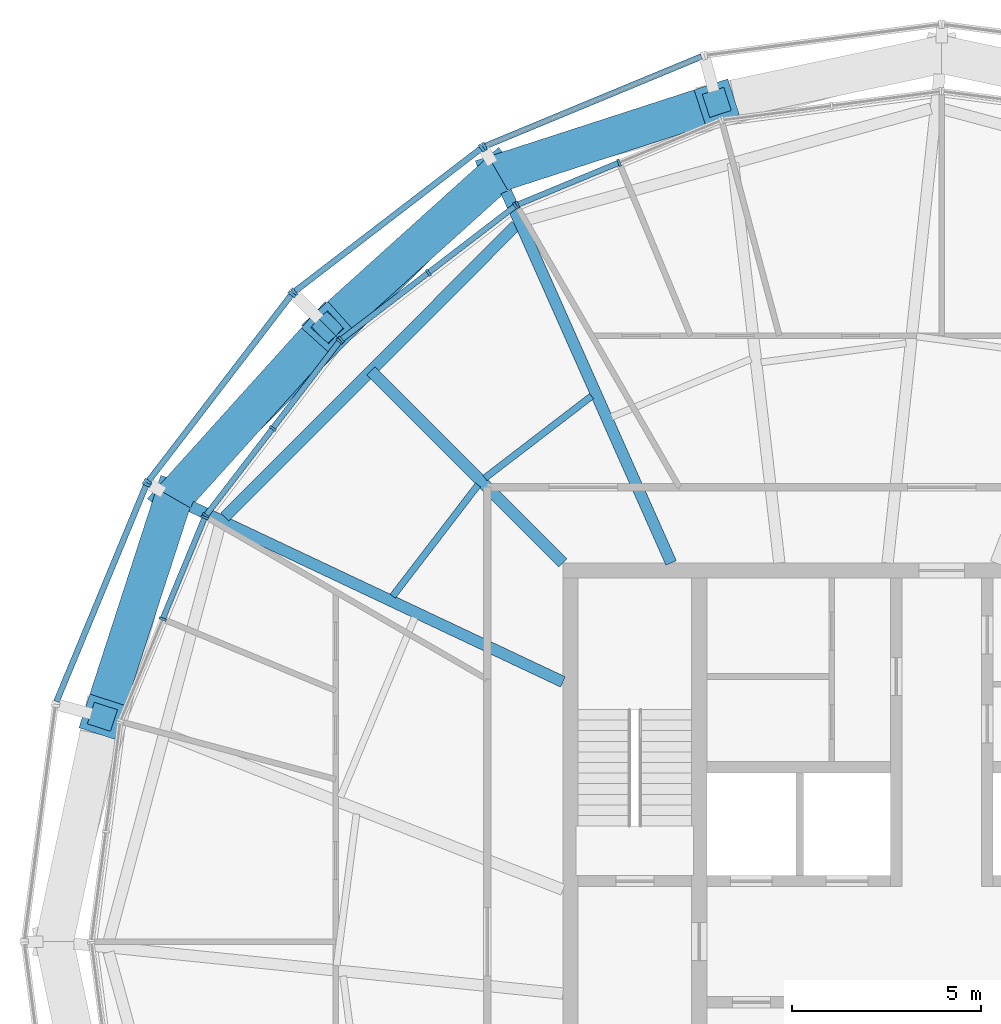
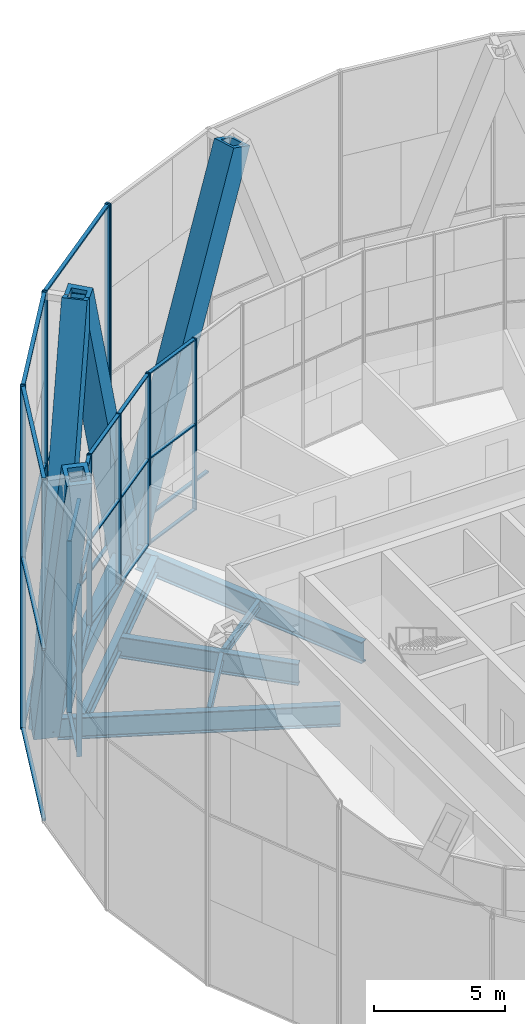
# One storey, part 6 of 22: 48 members, 7 beams, 8 elements without a shape of their own.
"""IFC4 building model written with IfcOpenShell, lengths in metres."""

from ifc_helpers import new_model, si_unit, direction, frame, origin, origin_2d, place, context, subcontext, project, spatial, rectangle, hollow_rectangle, i_section, extrude, material, material_profile, profile_set, type_object, element, aggregate, save


model = new_model("IFC4")

# Units and contexts
model_context = context("Model", 3, precision=1e-05, world=origin(), true_north=direction((0.0, 1.0)))
body_context = subcontext(model_context, "Body", "Model", "MODEL_VIEW")
ifc_project = project(units=[si_unit("LENGTHUNIT", "METRE"), si_unit("AREAUNIT", "SQUARE_METRE"), si_unit("VOLUMEUNIT", "CUBIC_METRE"), si_unit("PLANEANGLEUNIT", "RADIAN"), si_unit("MASSUNIT", "GRAM", prefix="KILO")], contexts=[model_context])

# Site, building, storey
site_placement = place(None, origin())
site = spatial("IfcSite", under=ifc_project, at=site_placement, CompositionType="ELEMENT")
building_placement = place(site_placement, origin())
building = spatial("IfcBuilding", under=site, at=building_placement, Name="Golbaran Civic Tower", CompositionType="ELEMENT")
storey_placement = place(building_placement, frame((0.0, 0.0, 248.0)))
storey = spatial("IfcBuildingStorey", under=building, at=storey_placement, Name="L60", CompositionType="ELEMENT", Elevation=248.0)

# Members
ifc_material_1 = material(Name="Steel S355", Category="steel")
ifc_material_profile_1 = material_profile(ifc_material_1, hollow_rectangle(XDim=1.0, YDim=1.0, WallThickness=0.179931640625, at=origin_2d()), Name="BOX 1000x1000x180")
ifc_profile_set_1 = profile_set([ifc_material_profile_1], Name="Steel S355")
member_type_1 = type_object("IfcMemberType", Name="DIAGRID DIAGONAL BOX 1000x1000x180", PredefinedType="BRACE", material=ifc_profile_set_1)
for number, where, z_axis, x_axis, name in (
    (1, (-11.71142578125, 20.284912109375, -0.7099609375), (-0.263444958098, -0.237551283293, 0.934968524528), (0.669666578156, -0.742661884104, 0.0), "Diagonal D14-04R L60-L64"),
    (2, (-11.71142578125, 20.284912109375, -0.7099609375), (0.337445812256, 0.109367082262, 0.934970141292), (-0.30831388725, 0.951284682379, 0.0), "Diagonal D14-04L L60-L64"),
    (3, (-20.284912109375, 11.71142578125, -0.7099609375), (-0.109367082262, -0.337445812256, 0.934970141292), (0.951284682379, -0.30831388725, 0.0), "Diagonal D14-05R L60-L64"),
    (4, (-20.284912109375, 11.71142578125, -0.7099609375), (0.237551283293, 0.263444958098, 0.934968524528), (-0.742661884104, 0.669666578156, 0.0), "Diagonal D14-05L L60-L64"),
):
    element("IfcMember", number, at=place(storey_placement, frame(where, z_axis=z_axis, x_axis=x_axis)), inside=storey, type_object=member_type_1, Name=name, PredefinedType="BRACE", context=body_context, shape_type="SweptSolid", body=[
        extrude(hollow_rectangle(XDim=1.0, YDim=1.0, WallThickness=0.179931640625, at=origin_2d()), origin(), (0.0, 0.0, 1.0), 17.11279296875),
    ])

# Beams
ifc_material_profile_2 = material_profile(ifc_material_1, hollow_rectangle(XDim=0.699951171875, YDim=0.699951171875, WallThickness=0.080078125, at=origin_2d()), Name="BOX 700x700x80")
ifc_profile_set_2 = profile_set([ifc_material_profile_2], Name="Steel S355")
beam_type_1 = type_object("IfcBeamType", Name="DIAGRID RING TIE BOX 700x700x80", PredefinedType="BEAM", material=ifc_profile_set_2)
beam_1_placement = place(storey_placement, frame((-11.71142578125, 20.284912109375, -0.7099609375), z_axis=(-0.707106781187, -0.707106781187, 0.0), x_axis=(0.707106781187, -0.707106781187, 0.0)))
element("IfcBeam", 5, at=beam_1_placement, inside=storey, type_object=beam_type_1, Name="Ring tie 120.00 L60", PredefinedType="BEAM", context=body_context, shape_type="SweptSolid", body=[
    extrude(hollow_rectangle(XDim=0.699951171875, YDim=0.699951171875, WallThickness=0.080078125, at=origin_2d()), origin(), (0.0, 0.0, 1.0), 12.124755859375),
])
ifc_material_profile_3 = material_profile(ifc_material_1, i_section(OverallWidth=0.300048828125, OverallDepth=0.800048828125, WebThickness=0.017578125, FlangeThickness=0.032958984375, FilletRadius=0.030029296875, at=origin_2d()), Name="HEB 800")
ifc_profile_set_3 = profile_set([ifc_material_profile_3], Name="Steel S355")
beam_type_2 = type_object("IfcBeamType", Name="EDGE BEAM HEB 800", PredefinedType="BEAM", material=ifc_profile_set_3)
beam_2_placement = place(storey_placement, frame((-11.240966796875, 18.905517578125, -0.60009765625), z_axis=(-0.70659009574, -0.707623089365, 0.0), x_axis=(0.707623089365, -0.70659009574, 0.0)))
element("IfcBeam", 6, at=beam_2_placement, inside=storey, type_object=beam_type_2, Name="Edge beam 120.00 L60", PredefinedType="BEAM", context=body_context, shape_type="SweptSolid", body=[
    extrude(i_section(OverallWidth=0.300048828125, OverallDepth=0.800048828125, WebThickness=0.017578125, FlangeThickness=0.032958984375, FilletRadius=0.030029296875, at=origin_2d()), origin(), (0.0, 0.0, 1.0), 10.871826171875),
])
ifc_material_profile_4 = material_profile(ifc_material_1, i_section(OverallWidth=0.179931640625, OverallDepth=0.39990234375, WebThickness=0.008544921875, FlangeThickness=0.013427734375, FilletRadius=0.02099609375, at=origin_2d()), Name="IPE 400")
ifc_profile_set_4 = profile_set([ifc_material_profile_4], Name="Steel S355")
beam_type_3 = type_object("IfcBeamType", Name="FLOOR INFILL BEAM IPE 400", PredefinedType="BEAM", material=ifc_profile_set_4)
beam_3_placement = place(storey_placement, frame((-9.24072265625, 14.402587890625, -0.39990234375), z_axis=(-0.793341764816, -0.608776514165, 0.0), x_axis=(0.608776514165, -0.793341764816, 0.0)))
element("IfcBeam", 7, at=beam_3_placement, inside=storey, type_object=beam_type_3, Name="Infill beam 127.50 L60", PredefinedType="BEAM", context=body_context, shape_type="SweptSolid", body=[
    extrude(i_section(OverallWidth=0.179931640625, OverallDepth=0.39990234375, WebThickness=0.008544921875, FlangeThickness=0.013427734375, FilletRadius=0.02099609375, at=origin_2d()), origin(), (0.0, 0.0, 1.0), 3.55029296875),
])
beam_4_placement = place(storey_placement, frame((-12.23974609375, 12.055908203125, -0.39990234375), z_axis=(-0.608801399042, -0.793322668606, 0.0), x_axis=(0.793322668606, -0.608801399042, 0.0)))
element("IfcBeam", 8, at=beam_4_placement, inside=storey, type_object=beam_type_3, Name="Infill beam 142.50 L60", PredefinedType="BEAM", context=body_context, shape_type="SweptSolid", body=[
    extrude(i_section(OverallWidth=0.179931640625, OverallDepth=0.39990234375, WebThickness=0.008544921875, FlangeThickness=0.013427734375, FilletRadius=0.02099609375, at=origin_2d()), origin(), (0.0, 0.0, 1.0), 3.699462890625),
])

# Curtain wall, members
ifc_material_2 = material(Name="Aluminium and glass", Category="aluminium")
curtain_wall_type_1 = type_object("IfcCurtainWallType", Name="INNER SKIN CURTAIN WALL EXECUTIVE", PredefinedType="NOTDEFINED", material=ifc_material_2)
curtain_wall_1_placement = place(storey_placement, origin())
curtain_wall_1 = element("IfcCurtainWall", 9, at=curtain_wall_1_placement, inside=storey, type_object=curtain_wall_type_1, Name="Inner skin L60 facet 8 CW2", ObjectType="INNER SKIN", PredefinedType="USERDEFINED")
ifc_material_3 = material(Name="Aluminium", Category="aluminium")
ifc_material_profile_5 = material_profile(ifc_material_3, rectangle(XDim=0.199951171875, YDim=0.06005859375, at=origin_2d()), Name="INNER SKIN CURTAIN WALL EXECUTIVE MULLION")
ifc_profile_set_5 = profile_set([ifc_material_profile_5], Name="Aluminium")
member_type_2 = type_object("IfcMemberType", Name="INNER SKIN CURTAIN WALL EXECUTIVE MULLION", PredefinedType="MULLION", material=ifc_profile_set_5)
member_1_placement = place(storey_placement, frame((-8.5185546875, 20.5654296875, 0.0), z_axis=(0.0, 0.0, 1.0), x_axis=(0.382683432381, -0.923879532505, 0.0)))
member_1 = element("IfcMember", 10, at=member_1_placement, type_object=member_type_2, Name="CW2 mullion 2", PredefinedType="MULLION", context=body_context, shape_type="SweptSolid", body=[
    extrude(rectangle(XDim=0.199951171875, YDim=0.06005859375, at=origin_2d()), origin(), (0.0, 0.0, 1.0), 8.0),
])
member_2_placement = place(storey_placement, frame((-11.1982421875, 19.45556640625, 0.0), z_axis=(0.0, 0.0, 1.0), x_axis=(0.382683432381, -0.923879532505, 0.0)))
member_2 = element("IfcMember", 11, at=member_2_placement, type_object=member_type_2, Name="CW2 mullion 3", PredefinedType="MULLION", context=body_context, shape_type="SweptSolid", body=[
    extrude(rectangle(XDim=0.199951171875, YDim=0.06005859375, at=origin_2d()), origin(), (0.0, 0.0, 1.0), 8.0),
])

curtain_wall_2_placement = place(storey_placement, origin())
curtain_wall_2 = element("IfcCurtainWall", 12, at=curtain_wall_2_placement, inside=storey, type_object=curtain_wall_type_1, Name="Inner skin L60 facet 9 CW2", ObjectType="INNER SKIN", PredefinedType="USERDEFINED")
member_3_placement = place(storey_placement, frame((-11.249755859375, 19.42578125, 0.0), z_axis=(0.0, 0.0, 1.0), x_axis=(0.608761429078, -0.793353340238, 0.0)))
member_3 = element("IfcMember", 13, at=member_3_placement, type_object=member_type_2, Name="CW2 mullion 1", PredefinedType="MULLION", context=body_context, shape_type="SweptSolid", body=[
    extrude(rectangle(XDim=0.199951171875, YDim=0.06005859375, at=origin_2d()), origin(), (0.0, 0.0, 1.0), 8.0),
])
member_4_placement = place(storey_placement, frame((-13.551025390625, 17.659912109375, 0.0), z_axis=(0.0, 0.0, 1.0), x_axis=(0.608761429078, -0.793353340238, 0.0)))
member_4 = element("IfcMember", 14, at=member_4_placement, type_object=member_type_2, Name="CW2 mullion 2", PredefinedType="MULLION", context=body_context, shape_type="SweptSolid", body=[
    extrude(rectangle(XDim=0.199951171875, YDim=0.06005859375, at=origin_2d()), origin(), (0.0, 0.0, 1.0), 8.0),
])
member_5_placement = place(storey_placement, frame((-15.85205078125, 15.894287109375, 0.0), z_axis=(0.0, 0.0, 1.0), x_axis=(0.608761429078, -0.793353340238, 0.0)))
member_5 = element("IfcMember", 15, at=member_5_placement, type_object=member_type_2, Name="CW2 mullion 3", PredefinedType="MULLION", context=body_context, shape_type="SweptSolid", body=[
    extrude(rectangle(XDim=0.199951171875, YDim=0.06005859375, at=origin_2d()), origin(), (0.0, 0.0, 1.0), 8.0),
])

curtain_wall_3_placement = place(storey_placement, origin())
curtain_wall_3 = element("IfcCurtainWall", 16, at=curtain_wall_3_placement, inside=storey, type_object=curtain_wall_type_1, Name="Inner skin L60 facet 10 CW2", ObjectType="INNER SKIN", PredefinedType="USERDEFINED")
member_6_placement = place(storey_placement, frame((-15.894287109375, 15.85205078125, 0.0), z_axis=(0.0, 0.0, 1.0), x_axis=(0.793353340238, -0.608761429078, 0.0)))
member_6 = element("IfcMember", 17, at=member_6_placement, type_object=member_type_2, Name="CW2 mullion 1", PredefinedType="MULLION", context=body_context, shape_type="SweptSolid", body=[
    extrude(rectangle(XDim=0.199951171875, YDim=0.06005859375, at=origin_2d()), origin(), (0.0, 0.0, 1.0), 8.0),
])
member_7_placement = place(storey_placement, frame((-17.659912109375, 13.551025390625, 0.0), z_axis=(0.0, 0.0, 1.0), x_axis=(0.793353340238, -0.608761429078, 0.0)))
member_7 = element("IfcMember", 18, at=member_7_placement, type_object=member_type_2, Name="CW2 mullion 2", PredefinedType="MULLION", context=body_context, shape_type="SweptSolid", body=[
    extrude(rectangle(XDim=0.199951171875, YDim=0.06005859375, at=origin_2d()), origin(), (0.0, 0.0, 1.0), 8.0),
])
member_8_placement = place(storey_placement, frame((-19.42578125, 11.249755859375, 0.0), z_axis=(0.0, 0.0, 1.0), x_axis=(0.793353340238, -0.608761429078, 0.0)))
member_8 = element("IfcMember", 19, at=member_8_placement, type_object=member_type_2, Name="CW2 mullion 3", PredefinedType="MULLION", context=body_context, shape_type="SweptSolid", body=[
    extrude(rectangle(XDim=0.199951171875, YDim=0.06005859375, at=origin_2d()), origin(), (0.0, 0.0, 1.0), 8.0),
])

curtain_wall_4_placement = place(storey_placement, origin())
curtain_wall_4 = element("IfcCurtainWall", 20, at=curtain_wall_4_placement, inside=storey, type_object=curtain_wall_type_1, Name="Inner skin L60 facet 11 CW2", ObjectType="INNER SKIN", PredefinedType="USERDEFINED")
member_9_placement = place(storey_placement, frame((-19.45556640625, 11.1982421875, 0.0), z_axis=(0.0, 0.0, 1.0), x_axis=(0.923879532505, -0.382683432381, 0.0)))
member_9 = element("IfcMember", 21, at=member_9_placement, type_object=member_type_2, Name="CW2 mullion 1", PredefinedType="MULLION", context=body_context, shape_type="SweptSolid", body=[
    extrude(rectangle(XDim=0.199951171875, YDim=0.06005859375, at=origin_2d()), origin(), (0.0, 0.0, 1.0), 8.0),
])
member_10_placement = place(storey_placement, frame((-20.5654296875, 8.5185546875, 0.0), z_axis=(0.0, 0.0, 1.0), x_axis=(0.923879532505, -0.382683432381, 0.0)))
member_10 = element("IfcMember", 22, at=member_10_placement, type_object=member_type_2, Name="CW2 mullion 2", PredefinedType="MULLION", context=body_context, shape_type="SweptSolid", body=[
    extrude(rectangle(XDim=0.199951171875, YDim=0.06005859375, at=origin_2d()), origin(), (0.0, 0.0, 1.0), 8.0),
])

# Member
ifc_material_profile_6 = material_profile(ifc_material_3, rectangle(XDim=0.14990234375, YDim=0.06005859375, at=origin_2d()), Name="INNER SKIN CURTAIN WALL EXECUTIVE TRANSOM")
ifc_profile_set_6 = profile_set([ifc_material_profile_6], Name="Aluminium")
member_type_3 = type_object("IfcMemberType", Name="INNER SKIN CURTAIN WALL EXECUTIVE TRANSOM", PredefinedType="USERDEFINED", material=ifc_profile_set_6)
member_11_placement = place(storey_placement, frame((-8.546142578125, 20.553955078125, 0.030029296875), z_axis=(-0.923903711694, -0.382625053438, 0.0), x_axis=(0.382625053438, -0.923903711694, 0.0)))
member_11 = element("IfcMember", 23, at=member_11_placement, type_object=member_type_3, Name="CW2 transom 2.1", ObjectType="TRANSOM", PredefinedType="USERDEFINED", context=body_context, shape_type="SweptSolid", body=[
    extrude(rectangle(XDim=0.14990234375, YDim=0.06005859375, at=origin_2d()), origin(), (0.0, 0.0, 1.0), 2.840576171875),
])

member_12_placement = place(storey_placement, frame((-8.546142578125, 20.553955078125, 4.0), z_axis=(-0.923903711694, -0.382625053438, 0.0), x_axis=(0.382625053438, -0.923903711694, 0.0)))
member_12 = element("IfcMember", 24, at=member_12_placement, type_object=member_type_3, Name="CW2 transom 2.2", ObjectType="TRANSOM", PredefinedType="USERDEFINED", context=body_context, shape_type="SweptSolid", body=[
    extrude(rectangle(XDim=0.14990234375, YDim=0.06005859375, at=origin_2d()), origin(), (0.0, 0.0, 1.0), 2.840576171875),
])

member_13_placement = place(storey_placement, frame((-8.546142578125, 20.553955078125, 7.969970703125), z_axis=(-0.923903711694, -0.382625053438, 0.0), x_axis=(0.382625053438, -0.923903711694, 0.0)))
member_13 = element("IfcMember", 25, at=member_13_placement, type_object=member_type_3, Name="CW2 transom 2.3", ObjectType="TRANSOM", PredefinedType="USERDEFINED", context=body_context, shape_type="SweptSolid", body=[
    extrude(rectangle(XDim=0.14990234375, YDim=0.06005859375, at=origin_2d()), origin(), (0.0, 0.0, 1.0), 2.840576171875),
])

aggregate(curtain_wall_1, [member_1, member_2, member_11, member_12, member_13])

member_14_placement = place(storey_placement, frame((-11.273681640625, 19.407470703125, 0.030029296875), z_axis=(-0.793329599368, -0.608792367533, 0.0), x_axis=(0.608792367533, -0.793329599368, 0.0)))
member_14 = element("IfcMember", 26, at=member_14_placement, type_object=member_type_3, Name="CW2 transom 1.1", ObjectType="TRANSOM", PredefinedType="USERDEFINED", context=body_context, shape_type="SweptSolid", body=[
    extrude(rectangle(XDim=0.14990234375, YDim=0.06005859375, at=origin_2d()), origin(), (0.0, 0.0, 1.0), 2.840576171875),
])

member_15_placement = place(storey_placement, frame((-11.273681640625, 19.407470703125, 4.0), z_axis=(-0.793329599368, -0.608792367533, 0.0), x_axis=(0.608792367533, -0.793329599368, 0.0)))
member_15 = element("IfcMember", 27, at=member_15_placement, type_object=member_type_3, Name="CW2 transom 1.2", ObjectType="TRANSOM", PredefinedType="USERDEFINED", context=body_context, shape_type="SweptSolid", body=[
    extrude(rectangle(XDim=0.14990234375, YDim=0.06005859375, at=origin_2d()), origin(), (0.0, 0.0, 1.0), 2.840576171875),
])

member_16_placement = place(storey_placement, frame((-11.273681640625, 19.407470703125, 7.969970703125), z_axis=(-0.793329599368, -0.608792367533, 0.0), x_axis=(0.608792367533, -0.793329599368, 0.0)))
member_16 = element("IfcMember", 28, at=member_16_placement, type_object=member_type_3, Name="CW2 transom 1.3", ObjectType="TRANSOM", PredefinedType="USERDEFINED", context=body_context, shape_type="SweptSolid", body=[
    extrude(rectangle(XDim=0.14990234375, YDim=0.06005859375, at=origin_2d()), origin(), (0.0, 0.0, 1.0), 2.840576171875),
])

member_17_placement = place(storey_placement, frame((-13.57470703125, 17.6416015625, 0.030029296875), z_axis=(-0.793402960489, -0.608696757251, 0.0), x_axis=(0.608696757251, -0.793402960489, 0.0)))
member_17 = element("IfcMember", 29, at=member_17_placement, type_object=member_type_3, Name="CW2 transom 2.1", ObjectType="TRANSOM", PredefinedType="USERDEFINED", context=body_context, shape_type="SweptSolid", body=[
    extrude(rectangle(XDim=0.14990234375, YDim=0.06005859375, at=origin_2d()), origin(), (0.0, 0.0, 1.0), 2.840576171875),
])

member_18_placement = place(storey_placement, frame((-13.57470703125, 17.6416015625, 4.0), z_axis=(-0.793402960489, -0.608696757251, 0.0), x_axis=(0.608696757251, -0.793402960489, 0.0)))
member_18 = element("IfcMember", 30, at=member_18_placement, type_object=member_type_3, Name="CW2 transom 2.2", ObjectType="TRANSOM", PredefinedType="USERDEFINED", context=body_context, shape_type="SweptSolid", body=[
    extrude(rectangle(XDim=0.14990234375, YDim=0.06005859375, at=origin_2d()), origin(), (0.0, 0.0, 1.0), 2.840576171875),
])

member_19_placement = place(storey_placement, frame((-13.57470703125, 17.6416015625, 7.969970703125), z_axis=(-0.793402960489, -0.608696757251, 0.0), x_axis=(0.608696757251, -0.793402960489, 0.0)))
member_19 = element("IfcMember", 31, at=member_19_placement, type_object=member_type_3, Name="CW2 transom 2.3", ObjectType="TRANSOM", PredefinedType="USERDEFINED", context=body_context, shape_type="SweptSolid", body=[
    extrude(rectangle(XDim=0.14990234375, YDim=0.06005859375, at=origin_2d()), origin(), (0.0, 0.0, 1.0), 2.840576171875),
])

aggregate(curtain_wall_2, [member_3, member_4, member_5, member_14, member_15, member_16, member_17, member_18, member_19])

member_20_placement = place(storey_placement, frame((-15.91259765625, 15.828369140625, 0.030029296875), z_axis=(-0.608696757251, -0.793402960489, 0.0), x_axis=(0.793402960489, -0.608696757251, 0.0)))
member_20 = element("IfcMember", 32, at=member_20_placement, type_object=member_type_3, Name="CW2 transom 1.1", ObjectType="TRANSOM", PredefinedType="USERDEFINED", context=body_context, shape_type="SweptSolid", body=[
    extrude(rectangle(XDim=0.14990234375, YDim=0.06005859375, at=origin_2d()), origin(), (0.0, 0.0, 1.0), 2.840576171875),
])

member_21_placement = place(storey_placement, frame((-15.91259765625, 15.828369140625, 4.0), z_axis=(-0.608696757251, -0.793402960489, 0.0), x_axis=(0.793402960489, -0.608696757251, 0.0)))
member_21 = element("IfcMember", 33, at=member_21_placement, type_object=member_type_3, Name="CW2 transom 1.2", ObjectType="TRANSOM", PredefinedType="USERDEFINED", context=body_context, shape_type="SweptSolid", body=[
    extrude(rectangle(XDim=0.14990234375, YDim=0.06005859375, at=origin_2d()), origin(), (0.0, 0.0, 1.0), 2.840576171875),
])

member_22_placement = place(storey_placement, frame((-15.91259765625, 15.828369140625, 7.969970703125), z_axis=(-0.608696757251, -0.793402960489, 0.0), x_axis=(0.793402960489, -0.608696757251, 0.0)))
member_22 = element("IfcMember", 34, at=member_22_placement, type_object=member_type_3, Name="CW2 transom 1.3", ObjectType="TRANSOM", PredefinedType="USERDEFINED", context=body_context, shape_type="SweptSolid", body=[
    extrude(rectangle(XDim=0.14990234375, YDim=0.06005859375, at=origin_2d()), origin(), (0.0, 0.0, 1.0), 2.840576171875),
])

member_23_placement = place(storey_placement, frame((-17.67822265625, 13.527099609375, 0.030029296875), z_axis=(-0.608792367533, -0.793329599368, 0.0), x_axis=(0.793329599368, -0.608792367533, 0.0)))
member_23 = element("IfcMember", 35, at=member_23_placement, type_object=member_type_3, Name="CW2 transom 2.1", ObjectType="TRANSOM", PredefinedType="USERDEFINED", context=body_context, shape_type="SweptSolid", body=[
    extrude(rectangle(XDim=0.14990234375, YDim=0.06005859375, at=origin_2d()), origin(), (0.0, 0.0, 1.0), 2.840576171875),
])

member_24_placement = place(storey_placement, frame((-17.67822265625, 13.527099609375, 4.0), z_axis=(-0.608792367533, -0.793329599368, 0.0), x_axis=(0.793329599368, -0.608792367533, 0.0)))
member_24 = element("IfcMember", 36, at=member_24_placement, type_object=member_type_3, Name="CW2 transom 2.2", ObjectType="TRANSOM", PredefinedType="USERDEFINED", context=body_context, shape_type="SweptSolid", body=[
    extrude(rectangle(XDim=0.14990234375, YDim=0.06005859375, at=origin_2d()), origin(), (0.0, 0.0, 1.0), 2.840576171875),
])

member_25_placement = place(storey_placement, frame((-17.67822265625, 13.527099609375, 7.969970703125), z_axis=(-0.608792367533, -0.793329599368, 0.0), x_axis=(0.793329599368, -0.608792367533, 0.0)))
member_25 = element("IfcMember", 37, at=member_25_placement, type_object=member_type_3, Name="CW2 transom 2.3", ObjectType="TRANSOM", PredefinedType="USERDEFINED", context=body_context, shape_type="SweptSolid", body=[
    extrude(rectangle(XDim=0.14990234375, YDim=0.06005859375, at=origin_2d()), origin(), (0.0, 0.0, 1.0), 2.840576171875),
])

aggregate(curtain_wall_3, [member_6, member_7, member_8, member_20, member_21, member_22, member_23, member_24, member_25])

member_26_placement = place(storey_placement, frame((-19.467041015625, 11.170654296875, 0.030029296875), z_axis=(-0.382625053438, -0.923903711694, 0.0), x_axis=(0.923903711694, -0.382625053438, 0.0)))
member_26 = element("IfcMember", 38, at=member_26_placement, type_object=member_type_3, Name="CW2 transom 1.1", ObjectType="TRANSOM", PredefinedType="USERDEFINED", context=body_context, shape_type="SweptSolid", body=[
    extrude(rectangle(XDim=0.14990234375, YDim=0.06005859375, at=origin_2d()), origin(), (0.0, 0.0, 1.0), 2.840576171875),
])

member_27_placement = place(storey_placement, frame((-19.467041015625, 11.170654296875, 4.0), z_axis=(-0.382625053438, -0.923903711694, 0.0), x_axis=(0.923903711694, -0.382625053438, 0.0)))
member_27 = element("IfcMember", 39, at=member_27_placement, type_object=member_type_3, Name="CW2 transom 1.2", ObjectType="TRANSOM", PredefinedType="USERDEFINED", context=body_context, shape_type="SweptSolid", body=[
    extrude(rectangle(XDim=0.14990234375, YDim=0.06005859375, at=origin_2d()), origin(), (0.0, 0.0, 1.0), 2.840576171875),
])

member_28_placement = place(storey_placement, frame((-19.467041015625, 11.170654296875, 7.969970703125), z_axis=(-0.382625053438, -0.923903711694, 0.0), x_axis=(0.923903711694, -0.382625053438, 0.0)))
member_28 = element("IfcMember", 40, at=member_28_placement, type_object=member_type_3, Name="CW2 transom 1.3", ObjectType="TRANSOM", PredefinedType="USERDEFINED", context=body_context, shape_type="SweptSolid", body=[
    extrude(rectangle(XDim=0.14990234375, YDim=0.06005859375, at=origin_2d()), origin(), (0.0, 0.0, 1.0), 2.840576171875),
])

aggregate(curtain_wall_4, [member_9, member_10, member_26, member_27, member_28])

# Curtain wall, member
curtain_wall_type_2 = type_object("IfcCurtainWallType", Name="OUTER SKIN TERRACOTTA SCREEN", PredefinedType="NOTDEFINED", material=ifc_material_2)
curtain_wall_5_placement = place(storey_placement, origin())
curtain_wall_5 = element("IfcCurtainWall", 41, at=curtain_wall_5_placement, inside=storey, type_object=curtain_wall_type_2, Name="Outer skin L60 facet 8 CW3", ObjectType="OUTER SKIN", PredefinedType="USERDEFINED")
ifc_material_profile_7 = material_profile(ifc_material_3, rectangle(XDim=0.219970703125, YDim=0.080078125, at=origin_2d()), Name="OUTER SKIN TERRACOTTA SCREEN MULLION")
ifc_profile_set_7 = profile_set([ifc_material_profile_7], Name="Aluminium")
member_type_4 = type_object("IfcMemberType", Name="OUTER SKIN TERRACOTTA SCREEN MULLION", PredefinedType="MULLION", material=ifc_profile_set_7)
member_29_placement = place(storey_placement, frame((-12.074462890625, 20.992919921875, -0.7099609375), z_axis=(0.0, 0.0, 1.0), x_axis=(0.382683432349, -0.923879532518, 0.0)))
member_29 = element("IfcMember", 42, at=member_29_placement, type_object=member_type_4, Name="CW3 mullion 2", PredefinedType="MULLION", context=body_context, shape_type="SweptSolid", body=[
    extrude(rectangle(XDim=0.219970703125, YDim=0.080078125, at=origin_2d()), origin(), (0.0, 0.0, 1.0), 16.0),
])

# Curtain wall, members
curtain_wall_6_placement = place(storey_placement, origin())
curtain_wall_6 = element("IfcCurtainWall", 43, at=curtain_wall_6_placement, inside=storey, type_object=curtain_wall_type_2, Name="Outer skin L60 facet 9 CW3", ObjectType="OUTER SKIN", PredefinedType="USERDEFINED")
member_30_placement = place(storey_placement, frame((-12.143310546875, 20.953369140625, -0.7099609375), z_axis=(0.0, 0.0, 1.0), x_axis=(0.608761428967, -0.793353340323, 0.0)))
member_30 = element("IfcMember", 44, at=member_30_placement, type_object=member_type_4, Name="CW3 mullion 1", PredefinedType="MULLION", context=body_context, shape_type="SweptSolid", body=[
    extrude(rectangle(XDim=0.219970703125, YDim=0.080078125, at=origin_2d()), origin(), (0.0, 0.0, 1.0), 16.0),
])
member_31_placement = place(storey_placement, frame((-17.096435546875, 17.152587890625, -0.7099609375), z_axis=(0.0, 0.0, 1.0), x_axis=(0.608761428967, -0.793353340323, 0.0)))
member_31 = element("IfcMember", 45, at=member_31_placement, type_object=member_type_4, Name="CW3 mullion 2", PredefinedType="MULLION", context=body_context, shape_type="SweptSolid", body=[
    extrude(rectangle(XDim=0.219970703125, YDim=0.080078125, at=origin_2d()), origin(), (0.0, 0.0, 1.0), 16.0),
])

curtain_wall_7_placement = place(storey_placement, origin())
curtain_wall_7 = element("IfcCurtainWall", 46, at=curtain_wall_7_placement, inside=storey, type_object=curtain_wall_type_2, Name="Outer skin L60 facet 10 CW3", ObjectType="OUTER SKIN", PredefinedType="USERDEFINED")
member_32_placement = place(storey_placement, frame((-17.152587890625, 17.096435546875, -0.7099609375), z_axis=(0.0, 0.0, 1.0), x_axis=(0.793353340323, -0.608761428967, 0.0)))
member_32 = element("IfcMember", 47, at=member_32_placement, type_object=member_type_4, Name="CW3 mullion 1", PredefinedType="MULLION", context=body_context, shape_type="SweptSolid", body=[
    extrude(rectangle(XDim=0.219970703125, YDim=0.080078125, at=origin_2d()), origin(), (0.0, 0.0, 1.0), 16.0),
])
member_33_placement = place(storey_placement, frame((-20.953369140625, 12.143310546875, -0.7099609375), z_axis=(0.0, 0.0, 1.0), x_axis=(0.793353340323, -0.608761428967, 0.0)))
member_33 = element("IfcMember", 48, at=member_33_placement, type_object=member_type_4, Name="CW3 mullion 2", PredefinedType="MULLION", context=body_context, shape_type="SweptSolid", body=[
    extrude(rectangle(XDim=0.219970703125, YDim=0.080078125, at=origin_2d()), origin(), (0.0, 0.0, 1.0), 16.0),
])

# Curtain wall, member
curtain_wall_8_placement = place(storey_placement, origin())
curtain_wall_8 = element("IfcCurtainWall", 49, at=curtain_wall_8_placement, inside=storey, type_object=curtain_wall_type_2, Name="Outer skin L60 facet 11 CW3", ObjectType="OUTER SKIN", PredefinedType="USERDEFINED")
member_34_placement = place(storey_placement, frame((-20.992919921875, 12.074462890625, -0.7099609375), z_axis=(0.0, 0.0, 1.0), x_axis=(0.923879532518, -0.382683432349, 0.0)))
member_34 = element("IfcMember", 50, at=member_34_placement, type_object=member_type_4, Name="CW3 mullion 1", PredefinedType="MULLION", context=body_context, shape_type="SweptSolid", body=[
    extrude(rectangle(XDim=0.219970703125, YDim=0.080078125, at=origin_2d()), origin(), (0.0, 0.0, 1.0), 16.0),
])

# Member
ifc_material_profile_8 = material_profile(ifc_material_3, rectangle(XDim=0.159912109375, YDim=0.080078125, at=origin_2d()), Name="OUTER SKIN TERRACOTTA SCREEN TRANSOM")
ifc_profile_set_8 = profile_set([ifc_material_profile_8], Name="Aluminium")
member_type_5 = type_object("IfcMemberType", Name="OUTER SKIN TERRACOTTA SCREEN TRANSOM", PredefinedType="USERDEFINED", material=ifc_profile_set_8)
member_35_placement = place(storey_placement, frame((-6.34326171875, 23.366943359375, -0.669921875), z_axis=(-0.923881172835, -0.38267947225, 0.0), x_axis=(0.38267947225, -0.923881172835, 0.0)))
member_35 = element("IfcMember", 51, at=member_35_placement, type_object=member_type_5, Name="CW3 transom 1.1", ObjectType="TRANSOM", PredefinedType="USERDEFINED", context=body_context, shape_type="SweptSolid", body=[
    extrude(rectangle(XDim=0.159912109375, YDim=0.080078125, at=origin_2d()), origin(), (0.0, 0.0, 1.0), 6.16357421875),
])

aggregate(curtain_wall_5, [member_29, member_35])

member_36_placement = place(storey_placement, frame((-12.175048828125, 20.928955078125, -0.669921875), z_axis=(-0.79335381695, -0.608760807814, 0.0), x_axis=(0.608760807814, -0.79335381695, 0.0)))
member_36 = element("IfcMember", 52, at=member_36_placement, type_object=member_type_5, Name="CW3 transom 1.1", ObjectType="TRANSOM", PredefinedType="USERDEFINED", context=body_context, shape_type="SweptSolid", body=[
    extrude(rectangle(XDim=0.159912109375, YDim=0.080078125, at=origin_2d()), origin(), (0.0, 0.0, 1.0), 6.163330078125),
])

member_37_placement = place(storey_placement, frame((-12.175048828125, 20.928955078125, 7.2900390625), z_axis=(-0.79335381695, -0.608760807814, 0.0), x_axis=(0.608760807814, -0.79335381695, 0.0)))
member_37 = element("IfcMember", 53, at=member_37_placement, type_object=member_type_5, Name="CW3 transom 1.2", ObjectType="TRANSOM", PredefinedType="USERDEFINED", context=body_context, shape_type="SweptSolid", body=[
    extrude(rectangle(XDim=0.159912109375, YDim=0.080078125, at=origin_2d()), origin(), (0.0, 0.0, 1.0), 6.163330078125),
])

member_38_placement = place(storey_placement, frame((-12.175048828125, 20.928955078125, 15.25), z_axis=(-0.79335381695, -0.608760807814, 0.0), x_axis=(0.608760807814, -0.79335381695, 0.0)))
member_38 = element("IfcMember", 54, at=member_38_placement, type_object=member_type_5, Name="CW3 transom 1.3", ObjectType="TRANSOM", PredefinedType="USERDEFINED", context=body_context, shape_type="SweptSolid", body=[
    extrude(rectangle(XDim=0.159912109375, YDim=0.080078125, at=origin_2d()), origin(), (0.0, 0.0, 1.0), 6.163330078125),
])

aggregate(curtain_wall_6, [member_30, member_31, member_36, member_37, member_38])

member_39_placement = place(storey_placement, frame((-17.177001953125, 17.064697265625, -0.669921875), z_axis=(-0.608760807814, -0.79335381695, 0.0), x_axis=(0.79335381695, -0.608760807814, 0.0)))
member_39 = element("IfcMember", 55, at=member_39_placement, type_object=member_type_5, Name="CW3 transom 1.1", ObjectType="TRANSOM", PredefinedType="USERDEFINED", context=body_context, shape_type="SweptSolid", body=[
    extrude(rectangle(XDim=0.159912109375, YDim=0.080078125, at=origin_2d()), origin(), (0.0, 0.0, 1.0), 6.163330078125),
])

member_40_placement = place(storey_placement, frame((-17.177001953125, 17.064697265625, 7.2900390625), z_axis=(-0.608760807814, -0.79335381695, 0.0), x_axis=(0.79335381695, -0.608760807814, 0.0)))
member_40 = element("IfcMember", 56, at=member_40_placement, type_object=member_type_5, Name="CW3 transom 1.2", ObjectType="TRANSOM", PredefinedType="USERDEFINED", context=body_context, shape_type="SweptSolid", body=[
    extrude(rectangle(XDim=0.159912109375, YDim=0.080078125, at=origin_2d()), origin(), (0.0, 0.0, 1.0), 6.163330078125),
])

member_41_placement = place(storey_placement, frame((-17.177001953125, 17.064697265625, 15.25), z_axis=(-0.608760807814, -0.79335381695, 0.0), x_axis=(0.79335381695, -0.608760807814, 0.0)))
member_41 = element("IfcMember", 57, at=member_41_placement, type_object=member_type_5, Name="CW3 transom 1.3", ObjectType="TRANSOM", PredefinedType="USERDEFINED", context=body_context, shape_type="SweptSolid", body=[
    extrude(rectangle(XDim=0.159912109375, YDim=0.080078125, at=origin_2d()), origin(), (0.0, 0.0, 1.0), 6.163330078125),
])

aggregate(curtain_wall_7, [member_32, member_33, member_39, member_40, member_41])

member_42_placement = place(storey_placement, frame((-21.00830078125, 12.03759765625, -0.669921875), z_axis=(-0.38267947225, -0.923881172835, 0.0), x_axis=(0.923881172835, -0.38267947225, 0.0)))
member_42 = element("IfcMember", 58, at=member_42_placement, type_object=member_type_5, Name="CW3 transom 1.1", ObjectType="TRANSOM", PredefinedType="USERDEFINED", context=body_context, shape_type="SweptSolid", body=[
    extrude(rectangle(XDim=0.159912109375, YDim=0.080078125, at=origin_2d()), origin(), (0.0, 0.0, 1.0), 6.16357421875),
])

member_43_placement = place(storey_placement, frame((-21.00830078125, 12.03759765625, 7.2900390625), z_axis=(-0.38267947225, -0.923881172835, 0.0), x_axis=(0.923881172835, -0.38267947225, 0.0)))
member_43 = element("IfcMember", 59, at=member_43_placement, type_object=member_type_5, Name="CW3 transom 1.2", ObjectType="TRANSOM", PredefinedType="USERDEFINED", context=body_context, shape_type="SweptSolid", body=[
    extrude(rectangle(XDim=0.159912109375, YDim=0.080078125, at=origin_2d()), origin(), (0.0, 0.0, 1.0), 6.16357421875),
])

member_44_placement = place(storey_placement, frame((-21.00830078125, 12.03759765625, 15.25), z_axis=(-0.38267947225, -0.923881172835, 0.0), x_axis=(0.923881172835, -0.38267947225, 0.0)))
member_44 = element("IfcMember", 60, at=member_44_placement, type_object=member_type_5, Name="CW3 transom 1.3", ObjectType="TRANSOM", PredefinedType="USERDEFINED", context=body_context, shape_type="SweptSolid", body=[
    extrude(rectangle(XDim=0.159912109375, YDim=0.080078125, at=origin_2d()), origin(), (0.0, 0.0, 1.0), 6.16357421875),
])

aggregate(curtain_wall_8, [member_34, member_42, member_43, member_44])

# Beams
ifc_material_profile_9 = material_profile(ifc_material_1, i_section(OverallWidth=0.300048828125, OverallDepth=1.0, WebThickness=0.01904296875, FlangeThickness=0.035888671875, FilletRadius=0.030029296875, at=origin_2d()), Name="HEB 1000")
ifc_profile_set_9 = profile_set([ifc_material_profile_9], Name="Steel S355")
beam_type_4 = type_object("IfcBeamType", Name="RADIAL FLOOR BEAM HEB 1000", PredefinedType="BEAM", material=ifc_profile_set_9)
beam_5_placement = place(storey_placement, frame((-7.142822265625, 10.0, -0.7099609375), z_axis=(-0.405967427293, 0.91388754668, 0.0), x_axis=(-0.91388754668, -0.405967427293, 0.0)))
element("IfcBeam", 61, at=beam_5_placement, inside=storey, type_object=beam_type_4, Name="Radial beam 120.00 L60", PredefinedType="BEAM", context=body_context, shape_type="SweptSolid", body=[
    extrude(i_section(OverallWidth=0.300048828125, OverallDepth=1.0, WebThickness=0.01904296875, FlangeThickness=0.035888671875, FilletRadius=0.030029296875, at=origin_2d()), origin(), (0.0, 0.0, 1.0), 10.72802734375),
])
beam_6_placement = place(storey_placement, frame((-10.0, 6.857177734375, -0.7099609375), z_axis=(-0.904335745573, 0.426821812094, 0.0), x_axis=(-0.426821812094, -0.904335745573, 0.0)))
element("IfcBeam", 62, at=beam_6_placement, inside=storey, type_object=beam_type_4, Name="Radial beam 150.00 L60", PredefinedType="BEAM", context=body_context, shape_type="SweptSolid", body=[
    extrude(i_section(OverallWidth=0.300048828125, OverallDepth=1.0, WebThickness=0.01904296875, FlangeThickness=0.035888671875, FilletRadius=0.030029296875, at=origin_2d()), origin(), (0.0, 0.0, 1.0), 10.850830078125),
])
ifc_material_profile_10 = material_profile(ifc_material_1, i_section(OverallWidth=0.300048828125, OverallDepth=1.0, WebThickness=0.01904296875, FlangeThickness=0.035888671875, FilletRadius=0.030029296875, at=origin_2d()), Name="HEB 1000")
ifc_profile_set_10 = profile_set([ifc_material_profile_10], Name="Steel S355")
beam_type_5 = type_object("IfcBeamType", Name="SECONDARY FLOOR BEAM HEB 1000", PredefinedType="BEAM", material=ifc_profile_set_10)
beam_7_placement = place(storey_placement, frame((-10.0, 10.0, -0.7099609375), z_axis=(-0.707106781187, 0.707106781187, 0.0), x_axis=(-0.707106781187, -0.707106781187, 0.0)))
element("IfcBeam", 63, at=beam_7_placement, inside=storey, type_object=beam_type_5, Name="Secondary beam 135.00 L60", PredefinedType="BEAM", context=body_context, shape_type="SweptSolid", body=[
    extrude(i_section(OverallWidth=0.300048828125, OverallDepth=1.0, WebThickness=0.01904296875, FlangeThickness=0.035888671875, FilletRadius=0.030029296875, at=origin_2d()), origin(), (0.0, 0.0, 1.0), 7.1708984375),
])

save(model, "model.ifc")
